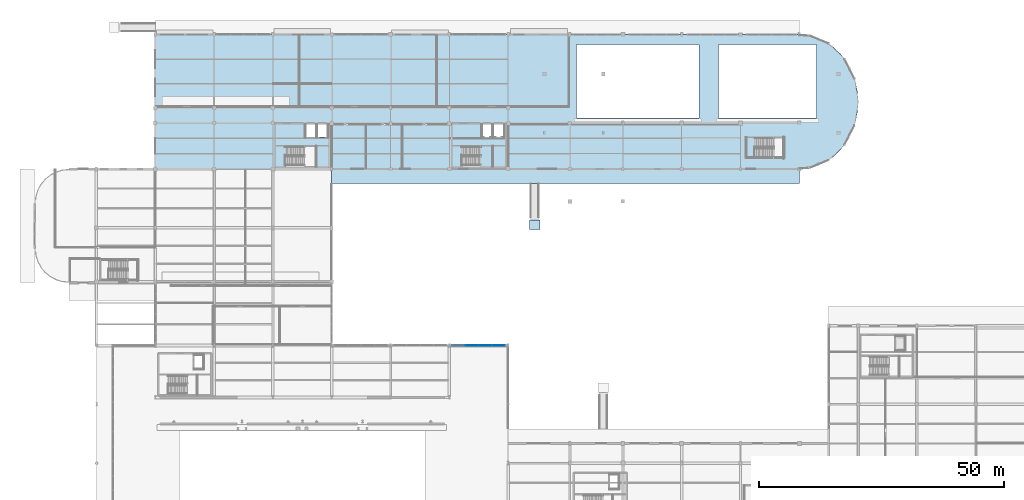
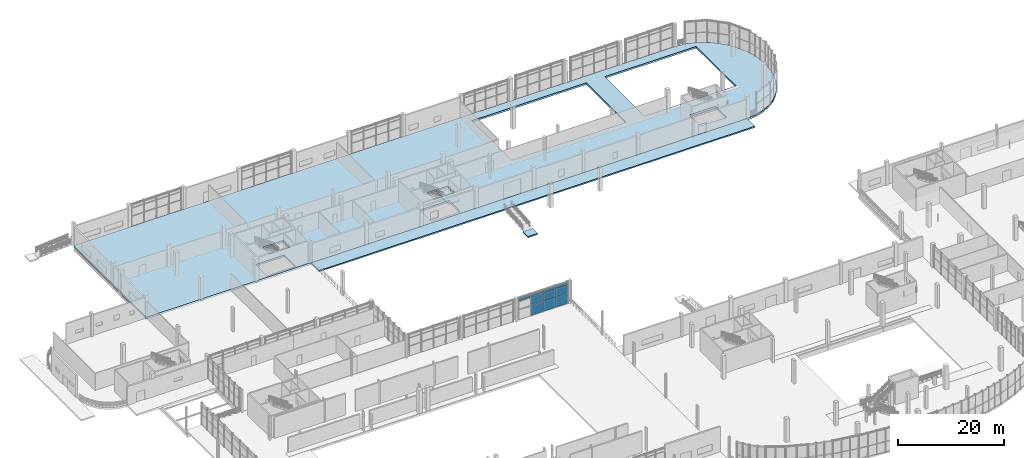
# One storey, part 51 of 85: 10 plates, 4 slabs, 2 elements without a shape of their own.
"""IFC4 building model written with IfcOpenShell, lengths in metres."""

from ifc_helpers import new_model, si_unit, direction, frame, origin, origin_2d, place, context, subcontext, project, spatial, polyline, rectangle, outline, extrude, material, layer, layer_set, type_object, element, aggregate, save


model = new_model("IFC4")

# Units and contexts
model_context = context("Model", 3, precision=1e-05, world=origin(), true_north=direction((0.0, 1.0)))
body_context = subcontext(model_context, "Body", "Model", "MODEL_VIEW")
ifc_project = project(units=[si_unit("LENGTHUNIT", "METRE"), si_unit("AREAUNIT", "SQUARE_METRE"), si_unit("VOLUMEUNIT", "CUBIC_METRE"), si_unit("PLANEANGLEUNIT", "RADIAN"), si_unit("MASSUNIT", "GRAM", prefix="KILO"), si_unit("THERMODYNAMICTEMPERATUREUNIT", "KELVIN"), si_unit("POWERUNIT", "WATT")], contexts=[model_context])

# Site, building, storey
site_placement = place(None, origin())
site = spatial("IfcSite", under=ifc_project, at=site_placement, CompositionType="ELEMENT")
building_placement = place(site_placement, origin())
building = spatial("IfcBuilding", under=site, at=building_placement, Name="Solmara Park Aquatics Centre", CompositionType="ELEMENT")
storey_placement = place(building_placement, origin())
storey = spatial("IfcBuildingStorey", under=building, at=storey_placement, Name="L00", CompositionType="ELEMENT", Elevation=0.0)

# Curtain wall, plates
ifc_material_1 = material(Name="Anodised Aluminium Curtain Wall Framing", Category="aluminium")
curtain_wall_type = type_object("IfcCurtainWallType", Name="ARC-CW-SYS02", PredefinedType="USERDEFINED", material=ifc_material_1)
curtain_wall_placement = place(storey_placement, origin())
curtain_wall = element("IfcCurtainWall", 1, at=curtain_wall_placement, inside=storey, type_object=curtain_wall_type, Name="Curtain Wall CW-025", ObjectType="CURTAIN WALL", PredefinedType="USERDEFINED")
ifc_material_2 = material(Name="Double Low-E Solar-Control Glazing", Category="glass")
ifc_layer_1 = layer(ifc_material_2, 0.035888671875, Name="Double Low-E Solar-Control Glazing")
ifc_layer_set_1 = layer_set([ifc_layer_1], Name="Double Low-E Solar-Control Glazing")
plate_type_1 = type_object("IfcPlateType", Name="ARC-CWP-GLZ36-2620x1800", PredefinedType="CURTAIN_PANEL", material=ifc_layer_set_1)
plate_1_placement = place(storey_placement, frame((89.22998046875, 72.60009765625, 2.48974609375), z_axis=(0.0, 0.0, 1.0), x_axis=(1.0, 0.0, 0.0)))
plate_1 = element("IfcPlate", 2, at=plate_1_placement, type_object=plate_type_1, Name="CW-025 panel 5", PredefinedType="CURTAIN_PANEL", context=body_context, shape_type="SweptSolid", body=[
    extrude(rectangle(XDim=2.6201171875, YDim=0.035888671875, at=origin_2d()), origin(), (0.0, 0.0, 1.0), 1.800048828125),
])
plate_2_placement = place(storey_placement, frame((91.929931640625, 72.60009765625, 2.48974609375), z_axis=(0.0, 0.0, 1.0), x_axis=(1.0, 0.0, 0.0)))
plate_2 = element("IfcPlate", 3, at=plate_2_placement, type_object=plate_type_1, Name="CW-025 panel 8", PredefinedType="CURTAIN_PANEL", context=body_context, shape_type="SweptSolid", body=[
    extrude(rectangle(XDim=2.6201171875, YDim=0.035888671875, at=origin_2d()), origin(), (0.0, 0.0, 1.0), 1.800048828125),
])
plate_3_placement = place(storey_placement, frame((94.6298828125, 72.60009765625, 2.48974609375), z_axis=(0.0, 0.0, 1.0), x_axis=(1.0, 0.0, 0.0)))
plate_3 = element("IfcPlate", 4, at=plate_3_placement, type_object=plate_type_1, Name="CW-025 panel 11", PredefinedType="CURTAIN_PANEL", context=body_context, shape_type="SweptSolid", body=[
    extrude(rectangle(XDim=2.6201171875, YDim=0.035888671875, at=origin_2d()), origin(), (0.0, 0.0, 1.0), 1.800048828125),
])
ifc_layer_2 = layer(ifc_material_2, 0.035888671875, Name="Double Low-E Solar-Control Glazing")
ifc_layer_set_2 = layer_set([ifc_layer_2], Name="Double Low-E Solar-Control Glazing")
plate_type_2 = type_object("IfcPlateType", Name="ARC-CWP-GLZ36-2620x2320", PredefinedType="CURTAIN_PANEL", material=ifc_layer_set_2)
plate_4_placement = place(storey_placement, frame((89.22998046875, 72.60009765625, 0.080078125), z_axis=(0.0, 0.0, 1.0), x_axis=(1.0, 0.0, 0.0)))
plate_4 = element("IfcPlate", 5, at=plate_4_placement, type_object=plate_type_2, Name="CW-025 panel 4", PredefinedType="CURTAIN_PANEL", context=body_context, shape_type="SweptSolid", body=[
    extrude(rectangle(XDim=2.6201171875, YDim=0.035888671875, at=origin_2d()), origin(), (0.0, 0.0, 1.0), 2.330078125),
])
plate_5_placement = place(storey_placement, frame((91.929931640625, 72.60009765625, 0.080078125), z_axis=(0.0, 0.0, 1.0), x_axis=(1.0, 0.0, 0.0)))
plate_5 = element("IfcPlate", 6, at=plate_5_placement, type_object=plate_type_2, Name="CW-025 panel 7", PredefinedType="CURTAIN_PANEL", context=body_context, shape_type="SweptSolid", body=[
    extrude(rectangle(XDim=2.6201171875, YDim=0.035888671875, at=origin_2d()), origin(), (0.0, 0.0, 1.0), 2.330078125),
])
plate_6_placement = place(storey_placement, frame((94.6298828125, 72.60009765625, 0.080078125), z_axis=(0.0, 0.0, 1.0), x_axis=(1.0, 0.0, 0.0)))
plate_6 = element("IfcPlate", 7, at=plate_6_placement, type_object=plate_type_2, Name="CW-025 panel 10", PredefinedType="CURTAIN_PANEL", context=body_context, shape_type="SweptSolid", body=[
    extrude(rectangle(XDim=2.6201171875, YDim=0.035888671875, at=origin_2d()), origin(), (0.0, 0.0, 1.0), 2.330078125),
])
ifc_material_3 = material(Name="Insulated Anodised Aluminium Spandrel Panel", Category="aluminium")
ifc_layer_3 = layer(ifc_material_3, 0.0439453125, Name="Insulated Anodised Aluminium Spandrel Panel")
ifc_layer_set_3 = layer_set([ifc_layer_3], Name="Insulated Anodised Aluminium Spandrel Panel")
plate_type_3 = type_object("IfcPlateType", Name="ARC-CWP-SPN44-2620x620", PredefinedType="CURTAIN_PANEL", material=ifc_layer_set_3)
plate_7_placement = place(storey_placement, frame((86.530029296875, 72.60009765625, 4.3701171875), z_axis=(0.0, 0.0, 1.0), x_axis=(1.0, 0.0, 0.0)))
plate_7 = element("IfcPlate", 8, at=plate_7_placement, type_object=plate_type_3, Name="CW-025 panel 3", PredefinedType="CURTAIN_PANEL", context=body_context, shape_type="SweptSolid", body=[
    extrude(rectangle(XDim=2.6201171875, YDim=0.0439453125, at=origin_2d()), origin(), (0.0, 0.0, 1.0), 0.6298828125),
])
plate_8_placement = place(storey_placement, frame((89.22998046875, 72.60009765625, 4.3701171875), z_axis=(0.0, 0.0, 1.0), x_axis=(1.0, 0.0, 0.0)))
plate_8 = element("IfcPlate", 9, at=plate_8_placement, type_object=plate_type_3, Name="CW-025 panel 6", PredefinedType="CURTAIN_PANEL", context=body_context, shape_type="SweptSolid", body=[
    extrude(rectangle(XDim=2.6201171875, YDim=0.0439453125, at=origin_2d()), origin(), (0.0, 0.0, 1.0), 0.6298828125),
])
plate_9_placement = place(storey_placement, frame((91.929931640625, 72.60009765625, 4.3701171875), z_axis=(0.0, 0.0, 1.0), x_axis=(1.0, 0.0, 0.0)))
plate_9 = element("IfcPlate", 10, at=plate_9_placement, type_object=plate_type_3, Name="CW-025 panel 9", PredefinedType="CURTAIN_PANEL", context=body_context, shape_type="SweptSolid", body=[
    extrude(rectangle(XDim=2.6201171875, YDim=0.0439453125, at=origin_2d()), origin(), (0.0, 0.0, 1.0), 0.6298828125),
])
plate_10_placement = place(storey_placement, frame((94.6298828125, 72.60009765625, 4.3701171875), z_axis=(0.0, 0.0, 1.0), x_axis=(1.0, 0.0, 0.0)))
plate_10 = element("IfcPlate", 11, at=plate_10_placement, type_object=plate_type_3, Name="CW-025 panel 12", PredefinedType="CURTAIN_PANEL", context=body_context, shape_type="SweptSolid", body=[
    extrude(rectangle(XDim=2.6201171875, YDim=0.0439453125, at=origin_2d()), origin(), (0.0, 0.0, 1.0), 0.6298828125),
])
aggregate(curtain_wall, [plate_7, plate_4, plate_1, plate_8, plate_5, plate_2, plate_9, plate_6, plate_3, plate_10])

# Stair, slab
ifc_material_4 = material(Name="Concrete C40/50", Category="concrete")
stair_type = type_object("IfcStairType", Name="ARC-ST-CORE", PredefinedType="HALF_TURN_STAIR", material=ifc_material_4)
stair_placement = place(storey_placement, origin())
stair = element("IfcStair", 12, at=stair_placement, inside=storey, type_object=stair_type, Name="ST-02 Protected Exit Stair (L00 to L01)", PredefinedType="HALF_TURN_STAIR")
ifc_layer_4 = layer(ifc_material_4, 0.219970703125, Name="Concrete C40/50")
ifc_layer_set_4 = layer_set([ifc_layer_4], Name="Concrete C40/50")
slab_type_1 = type_object("IfcSlabType", Name="ARC-SLB-LND220", PredefinedType="LANDING", material=ifc_layer_set_4)
slab_1_placement = place(storey_placement, frame((0.0, 0.0, 2.47998046875)))
slab_1 = element("IfcSlab", 13, at=slab_1_placement, type_object=slab_type_1, Name="ST-02 landing 1", PredefinedType="LANDING", context=body_context, shape_type="SweptSolid", body=[
    extrude(outline(polyline([(90.985107421875, 109.030029296875), (93.47998046875, 109.030029296875), (93.47998046875, 113.3701171875), (90.985107421875, 113.3701171875), (90.985107421875, 109.030029296875)])), origin(), (0.0, 0.0, 1.0), 0.219970703125),
])
aggregate(stair, [slab_1])

# Slabs
ifc_layer_5 = layer(ifc_material_4, 0.300048828125, Name="Concrete C40/50")
ifc_layer_set_5 = layer_set([ifc_layer_5], Name="Concrete C40/50")
slab_type_2 = type_object("IfcSlabType", Name="STR-SLB-CON300", PredefinedType="FLOOR", material=ifc_layer_set_5)
slab_2_placement = place(storey_placement, frame((0.0, 0.0, -0.300048828125)))
element("IfcSlab", 14, at=slab_2_placement, inside=storey, type_object=slab_type_2, Name="Exterior Entrance Apron SLB-L00-APR-C", PredefinedType="FLOOR", context=body_context, shape_type="SweptSolid", body=[
    extrude(outline(polyline([(60.60009765625, 105.60009765625), (156.0, 105.60009765625), (156.0, 108.60009765625), (60.60009765625, 108.60009765625), (60.60009765625, 105.60009765625)])), origin(), (0.0, 0.0, 1.0), 0.300048828125),
])
slab_3_placement = place(storey_placement, frame((0.0, 0.0, -0.89990234375)))
element("IfcSlab", 15, at=slab_3_placement, inside=storey, type_object=slab_type_2, Name="Training Pool Hydrotherapy Deck Ramp Threshold Landing", PredefinedType="FLOOR", context=body_context, shape_type="SweptSolid", body=[
    extrude(outline(polyline([(100.949951171875, 96.300048828125), (103.050048828125, 96.300048828125), (103.050048828125, 98.199951171875), (100.949951171875, 98.199951171875), (100.949951171875, 96.300048828125)])), origin(), (0.0, 0.0, 1.0), 0.2998046875),
])
ifc_material_5 = material(Name="Watertight Concrete C45/55", Category="concrete")
ifc_layer_6 = layer(ifc_material_5, 0.419921875, Name="Watertight Concrete C45/55")
ifc_layer_set_6 = layer_set([ifc_layer_6], Name="Watertight Concrete C45/55")
slab_type_3 = type_object("IfcSlabType", Name="STR-SLB-DECK420", PredefinedType="FLOOR", material=ifc_layer_set_6)
slab_4_placement = place(storey_placement, frame((0.0, 0.0, -0.419921875)))
element("IfcSlab", 16, at=slab_4_placement, inside=storey, type_object=slab_type_3, Name="Wellness, Training & Leisure Wing L00 Slab", PredefinedType="FLOOR", context=body_context, shape_type="SweptSolid", body=[
    extrude(outline(polyline([(24.60009765625, 108.60009765625), (156.0, 108.60009765625), (157.877197265625, 108.768798828125), (159.708251953125, 109.2705078125), (161.447998046875, 110.09326171875), (163.053466796875, 111.216552734375), (164.4853515625, 112.612548828125), (165.708251953125, 114.247314453125), (166.692138671875, 116.080322265625), (167.41259765625, 118.06640625), (167.852294921875, 120.15673828125), (168.0, 122.300048828125), (167.852294921875, 124.443115234375), (167.41259765625, 126.533447265625), (166.692138671875, 128.519775390625), (165.708251953125, 130.352783203125), (164.4853515625, 131.9873046875), (163.053466796875, 133.383544921875), (161.447998046875, 134.5068359375), (159.708251953125, 135.32958984375), (157.877197265625, 135.831298828125), (156.0, 136.0), (24.60009765625, 136.0), (24.60009765625, 108.60009765625)]), holes=[polyline([(110.5, 119.0), (135.5, 119.0), (135.5, 134.0), (110.5, 134.0), (110.5, 119.0)]), polyline([(139.5, 119.0), (159.5, 119.0), (159.5, 134.0), (139.5, 134.0), (139.5, 119.0)]), polyline([(51.25, 109.1298828125), (57.550048828125, 109.1298828125), (57.550048828125, 113.3701171875), (51.25, 113.3701171875), (51.25, 109.1298828125)]), polyline([(57.60009765625, 115.10009765625), (59.75, 115.10009765625), (59.75, 117.64990234375), (57.60009765625, 117.64990234375), (57.60009765625, 115.10009765625)]), polyline([(55.300048828125, 115.10009765625), (57.25, 115.10009765625), (57.25, 117.64990234375), (55.300048828125, 117.64990234375), (55.300048828125, 115.10009765625)]), polyline([(87.25, 109.1298828125), (93.550048828125, 109.1298828125), (93.550048828125, 113.3701171875), (87.25, 113.3701171875), (87.25, 109.1298828125)]), polyline([(93.60009765625, 115.10009765625), (95.75, 115.10009765625), (95.75, 117.64990234375), (93.60009765625, 117.64990234375), (93.60009765625, 115.10009765625)]), polyline([(91.300048828125, 115.10009765625), (93.25, 115.10009765625), (93.25, 117.64990234375), (91.300048828125, 117.64990234375), (91.300048828125, 115.10009765625)]), polyline([(147.080078125, 110.85009765625), (152.760009765625, 110.85009765625), (152.760009765625, 115.050048828125), (147.080078125, 115.050048828125), (147.080078125, 110.85009765625)])]), origin(), (0.0, 0.0, 1.0), 0.419921875),
])

save(model, "model.ifc")
